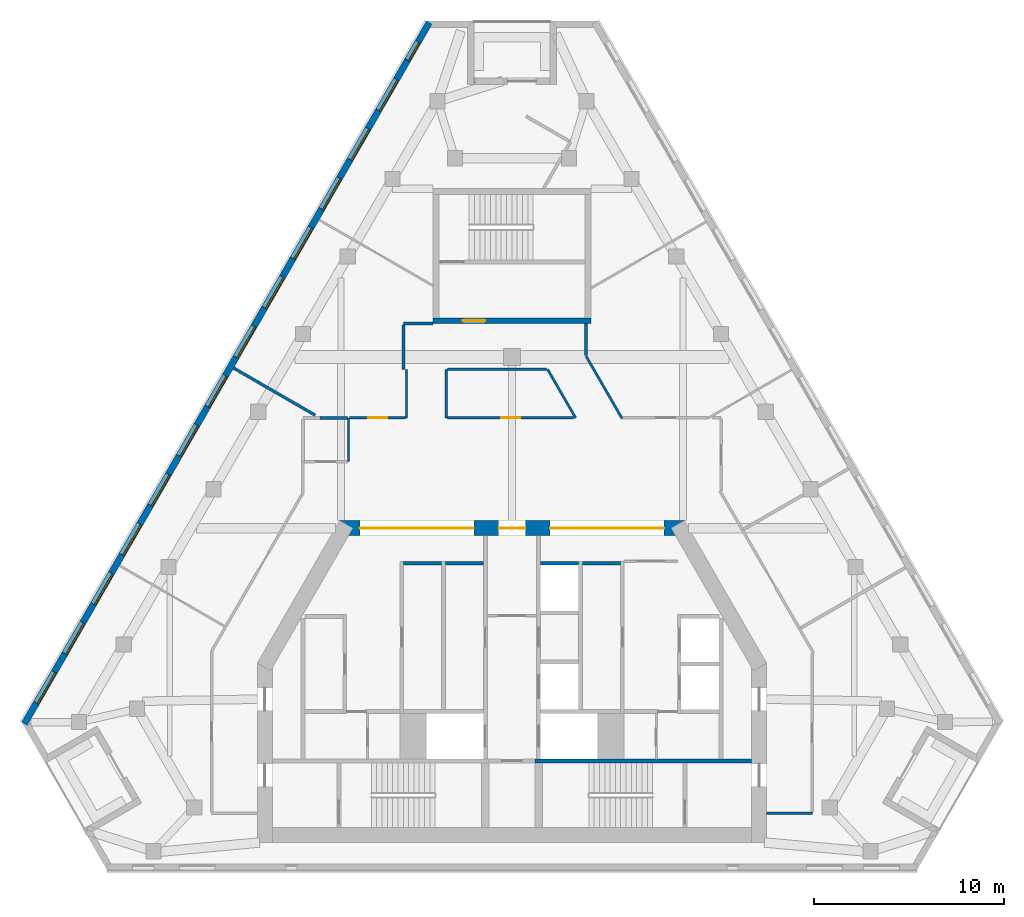
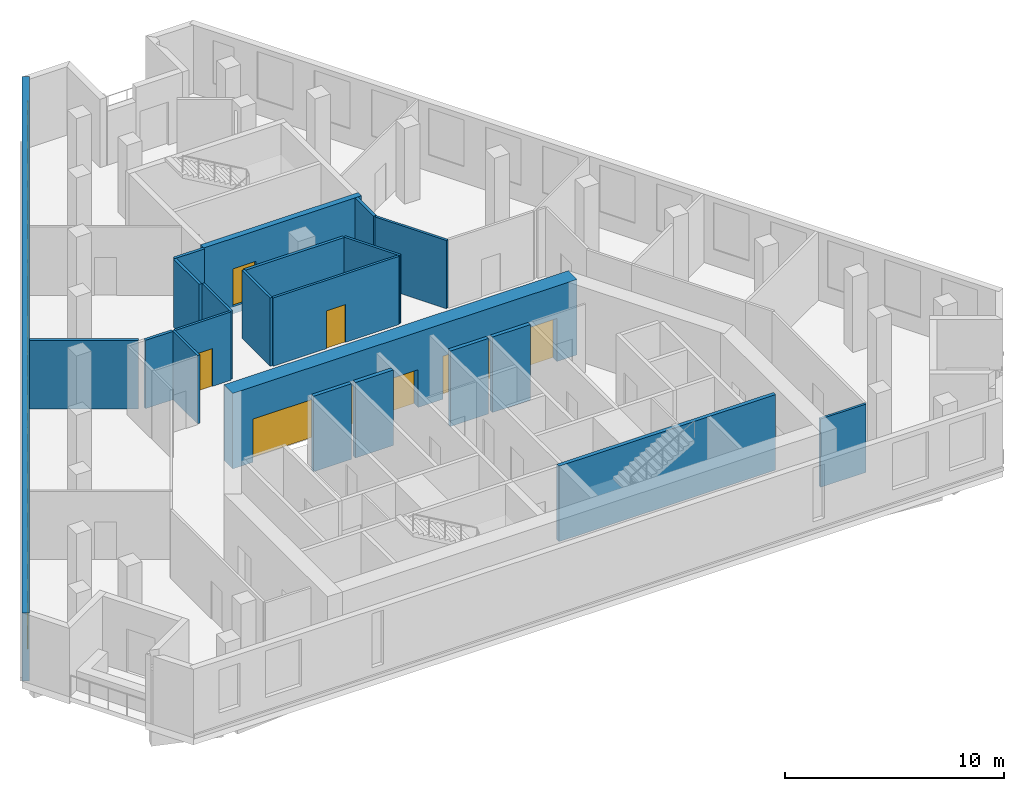
# One storey, part 4 of 8: 22 walls, 14 windows, 6 doors, 20 openings.
"""IFC4 building model written with IfcOpenShell, lengths in metres."""

from ifc_helpers import new_model, si_unit, direction, frame, frame_2d, origin, place, context, subcontext, project, spatial, rectangle, extrude, material, layer, layer_set, type_object, element, fill, save


model = new_model("IFC4")

# Units and contexts
model_context = context("Model", 3, precision=1e-05, world=origin(), true_north=direction((0.0, 1.0)))
body_context = subcontext(model_context, "Body", "Model", "MODEL_VIEW")
ifc_project = project(units=[si_unit("LENGTHUNIT", "METRE"), si_unit("AREAUNIT", "SQUARE_METRE"), si_unit("VOLUMEUNIT", "CUBIC_METRE"), si_unit("PLANEANGLEUNIT", "RADIAN"), si_unit("MASSUNIT", "GRAM", prefix="KILO")], contexts=[model_context])

# Site, building, storey
site_placement = place(None, origin())
site = spatial("IfcSite", under=ifc_project, at=site_placement, CompositionType="ELEMENT")
building_placement = place(site_placement, origin())
building = spatial("IfcBuilding", under=site, at=building_placement, Name="Fogline Exchange Tower", CompositionType="ELEMENT")
storey_placement = place(building_placement, frame((0.0, 0.0, 270.89990234375)))
storey = spatial("IfcBuildingStorey", under=building, at=storey_placement, Name="L61", CompositionType="ELEMENT", Elevation=270.89990234375)

# Walls
ifc_material_1 = material(Name="Concrete C40", Category="concrete")
ifc_layer_1 = layer(ifc_material_1, 0.199951171875)
ifc_layer_set_1 = layer_set([ifc_layer_1], Name="CW20R")
wall_type_1 = type_object("IfcWallType", Name="CW20R", PredefinedType="SOLIDWALL", material=ifc_layer_set_1)
wall_1_placement = place(storey_placement, frame((1.199951171875, 5.75, -0.39990234375), z_axis=(0.0, 0.0, 1.0), x_axis=(1.0, 0.0, 0.0)))
element("IfcWall", 1, at=wall_1_placement, inside=storey, type_object=wall_type_1, Name="Stair enclosure wall", PredefinedType="SOLIDWALL", context=body_context, shape_type="SweptSolid", body=[
    extrude(rectangle(XDim=11.400146484375, YDim=0.199951171875, at=frame_2d((5.7001953125, 0.0))), origin(), (0.0, 0.0, 1.0), 4.199951171875),
])
ifc_layer_2 = layer(ifc_material_1, 0.199951171875)
ifc_layer_set_2 = layer_set([ifc_layer_2], Name="CW20S")
wall_type_2 = type_object("IfcWallType", Name="CW20S", PredefinedType="SOLIDWALL", material=ifc_layer_set_2)
for number, where, z_axis, x_axis, name in (
    (2, (-5.699951171875, 16.14990234375, -0.39990234375), (0.0, 0.0, 1.0), (1.0, 0.0, 0.0), "Lift shaft wall"),
    (3, (-3.5, 16.14990234375, -0.39990234375), (0.0, 0.0, 1.0), (1.0, 0.0, 0.0), "Lift shaft wall"),
    (4, (3.699951171875, 16.14990234375, -0.39990234375), (0.0, 0.0, 1.0), (1.0, 0.0, 0.0), "Lift shaft wall"),
    (5, (1.5, 16.14990234375, -0.39990234375), (0.0, 0.0, 1.0), (1.0, 0.0, 0.0), "Lift shaft wall"),
):
    element("IfcWall", number, at=place(storey_placement, frame(where, z_axis=z_axis, x_axis=x_axis)), inside=storey, type_object=wall_type_2, Name=name, PredefinedType="SOLIDWALL", context=body_context, shape_type="SweptSolid", body=[
        extrude(rectangle(XDim=2.0, YDim=0.199951171875, at=frame_2d((1.0, 0.0))), origin(), (0.0, 0.0, 1.0), 4.199951171875),
    ])

# Wall, opening, door
ifc_layer_3 = layer(ifc_material_1, 0.300048828125)
ifc_layer_set_3 = layer_set([ifc_layer_3], Name="CW30")
wall_type_3 = type_object("IfcWallType", Name="CW30", PredefinedType="SOLIDWALL", material=ifc_layer_set_3)
wall_2_placement = place(storey_placement, frame((-4.14990234375, 28.906982421875, -0.39990234375), z_axis=(0.0, 0.0, 1.0), x_axis=(1.0, 0.0, 0.0)))
wall_2 = element("IfcWall", 6, at=wall_2_placement, inside=storey, type_object=wall_type_3, Name="Stair enclosure wall ST3", PredefinedType="SOLIDWALL", context=body_context, shape_type="SweptSolid", body=[
    extrude(rectangle(XDim=8.2998046875, YDim=0.300048828125, at=frame_2d((4.14990234375, 0.0))), origin(), (0.0, 0.0, 1.0), 4.199951171875),
])
opening_1_placement = place(wall_2_placement, frame((1.550048828125, 0.0, 0.39990234375)))
opening_1 = element("IfcOpeningElement", 7, at=opening_1_placement, cuts=wall_2, Name="Opening T19-C022", PredefinedType="OPENING", context=body_context, shape_type="SweptSolid", body=[
    extrude(rectangle(XDim=1.199951171875, YDim=2.10009765625, at=frame_2d((0.60009765625, 1.050048828125))), frame((0.0, 0.16015625, 0.0), z_axis=(0.0, -1.0, 0.0), x_axis=(1.0, 0.0, 0.0)), (0.0, 0.0, 1.0), 0.320068359375),
])
ifc_material_2 = material(Name="Steel and timber fire door", Category="steel")
door_type_1 = type_object("IfcDoorType", Name="D-FR1", OperationType="SINGLE_SWING_RIGHT", PredefinedType="DOOR", material=ifc_material_2)
door_1_placement = place(opening_1_placement, origin())
door_1 = element("IfcDoor", 8, at=door_1_placement, inside=storey, type_object=door_type_1, Name="Front room door ST3", OperationType="SINGLE_SWING_LEFT", OverallHeight=2.10009765625, OverallWidth=1.199951171875, PredefinedType="DOOR", context=body_context, shape_type="SweptSolid", body=[
    extrude(rectangle(XDim=1.199951171875, YDim=2.10009765625, at=frame_2d((0.60009765625, 1.050048828125))), frame((0.0, 0.02490234375, 0.0), z_axis=(0.0, -1.0, 0.0), x_axis=(1.0, 0.0, 0.0)), (0.0, 0.0, 1.0), 0.050048828125),
])
fill(opening_1, door_1)

# Wall, openings, windows
ifc_material_3 = material(Name="Brick masonry", Category="masonry")
ifc_layer_4 = layer(ifc_material_3, 0.340087890625)
ifc_layer_set_4 = layer_set([ifc_layer_4], Name="FW1")
wall_type_4 = type_object("IfcWallType", Name="FW1", PredefinedType="SOLIDWALL", material=ifc_layer_set_4)
wall_3_placement = place(storey_placement, frame((-4.352783203125, 44.5966796875, 0.0), z_axis=(0.0, 0.0, 1.0), x_axis=(-0.499998153541, -0.866026469835, 0.0)))
wall_3 = element("IfcWall", 9, at=wall_3_placement, inside=storey, type_object=wall_type_4, Name="Brick wall L61 W", PredefinedType="SOLIDWALL", context=body_context, shape_type="SweptSolid", body=[
    extrude(rectangle(XDim=42.593994140625, YDim=0.340087890625, at=frame_2d((21.296875, 0.0))), origin(), (0.0, 0.0, 1.0), 3.800048828125),
])
opening_2_placement = place(wall_3_placement, frame((3.445556640625, 0.0, 0.89990234375)))
opening_2 = element("IfcOpeningElement", 10, at=opening_2_placement, cuts=wall_3, Name="Opening W3", PredefinedType="OPENING", context=body_context, shape_type="SweptSolid", body=[
    extrude(rectangle(XDim=1.885009765625, YDim=2.60009765625, at=frame_2d((0.9423828125, 1.300048828125))), frame((0.0, 0.18017578125, 0.0), z_axis=(0.0, -1.0, 0.0), x_axis=(1.0, 0.0, 0.0)), (0.0, 0.0, 1.0), 0.360107421875),
])
opening_3_placement = place(wall_3_placement, frame((6.445556640625, 0.0, 0.89990234375)))
opening_3 = element("IfcOpeningElement", 11, at=opening_3_placement, cuts=wall_3, Name="Opening W3", PredefinedType="OPENING", context=body_context, shape_type="SweptSolid", body=[
    extrude(rectangle(XDim=1.885009765625, YDim=2.60009765625, at=frame_2d((0.9423828125, 1.300048828125))), frame((0.0, 0.18017578125, 0.0), z_axis=(0.0, -1.0, 0.0), x_axis=(1.0, 0.0, 0.0)), (0.0, 0.0, 1.0), 0.360107421875),
])
opening_4_placement = place(wall_3_placement, frame((9.445556640625, 0.0, 0.89990234375)))
opening_4 = element("IfcOpeningElement", 12, at=opening_4_placement, cuts=wall_3, Name="Opening W3", PredefinedType="OPENING", context=body_context, shape_type="SweptSolid", body=[
    extrude(rectangle(XDim=1.885009765625, YDim=2.60009765625, at=frame_2d((0.9423828125, 1.300048828125))), frame((0.0, 0.18017578125, 0.0), z_axis=(0.0, -1.0, 0.0), x_axis=(1.0, 0.0, 0.0)), (0.0, 0.0, 1.0), 0.360107421875),
])
opening_5_placement = place(wall_3_placement, frame((12.445556640625, 0.0, 0.89990234375)))
opening_5 = element("IfcOpeningElement", 13, at=opening_5_placement, cuts=wall_3, Name="Opening W3", PredefinedType="OPENING", context=body_context, shape_type="SweptSolid", body=[
    extrude(rectangle(XDim=1.885009765625, YDim=2.60009765625, at=frame_2d((0.9423828125, 1.300048828125))), frame((0.0, 0.18017578125, 0.0), z_axis=(0.0, -1.0, 0.0), x_axis=(1.0, 0.0, 0.0)), (0.0, 0.0, 1.0), 0.360107421875),
])
opening_6_placement = place(wall_3_placement, frame((15.445556640625, 0.0, 0.89990234375)))
opening_6 = element("IfcOpeningElement", 14, at=opening_6_placement, cuts=wall_3, Name="Opening W3", PredefinedType="OPENING", context=body_context, shape_type="SweptSolid", body=[
    extrude(rectangle(XDim=1.885009765625, YDim=2.60009765625, at=frame_2d((0.9423828125, 1.300048828125))), frame((0.0, 0.18017578125, 0.0), z_axis=(0.0, -1.0, 0.0), x_axis=(1.0, 0.0, 0.0)), (0.0, 0.0, 1.0), 0.360107421875),
])
opening_7_placement = place(wall_3_placement, frame((18.445556640625, 0.0, 0.89990234375)))
opening_7 = element("IfcOpeningElement", 15, at=opening_7_placement, cuts=wall_3, Name="Opening W3", PredefinedType="OPENING", context=body_context, shape_type="SweptSolid", body=[
    extrude(rectangle(XDim=1.885009765625, YDim=2.60009765625, at=frame_2d((0.9423828125, 1.300048828125))), frame((0.0, 0.18017578125, 0.0), z_axis=(0.0, -1.0, 0.0), x_axis=(1.0, 0.0, 0.0)), (0.0, 0.0, 1.0), 0.360107421875),
])
opening_8_placement = place(wall_3_placement, frame((21.445556640625, 0.0, 0.89990234375)))
opening_8 = element("IfcOpeningElement", 16, at=opening_8_placement, cuts=wall_3, Name="Opening W3", PredefinedType="OPENING", context=body_context, shape_type="SweptSolid", body=[
    extrude(rectangle(XDim=1.885009765625, YDim=2.60009765625, at=frame_2d((0.9423828125, 1.300048828125))), frame((0.0, 0.18017578125, 0.0), z_axis=(0.0, -1.0, 0.0), x_axis=(1.0, 0.0, 0.0)), (0.0, 0.0, 1.0), 0.360107421875),
])
opening_9_placement = place(wall_3_placement, frame((24.445556640625, 0.0, 0.89990234375)))
opening_9 = element("IfcOpeningElement", 17, at=opening_9_placement, cuts=wall_3, Name="Opening W3", PredefinedType="OPENING", context=body_context, shape_type="SweptSolid", body=[
    extrude(rectangle(XDim=1.885009765625, YDim=2.60009765625, at=frame_2d((0.9423828125, 1.300048828125))), frame((0.0, 0.18017578125, 0.0), z_axis=(0.0, -1.0, 0.0), x_axis=(1.0, 0.0, 0.0)), (0.0, 0.0, 1.0), 0.360107421875),
])
opening_10_placement = place(wall_3_placement, frame((27.445556640625, 0.0, 0.89990234375)))
opening_10 = element("IfcOpeningElement", 18, at=opening_10_placement, cuts=wall_3, Name="Opening W3", PredefinedType="OPENING", context=body_context, shape_type="SweptSolid", body=[
    extrude(rectangle(XDim=1.885009765625, YDim=2.60009765625, at=frame_2d((0.9423828125, 1.300048828125))), frame((0.0, 0.18017578125, 0.0), z_axis=(0.0, -1.0, 0.0), x_axis=(1.0, 0.0, 0.0)), (0.0, 0.0, 1.0), 0.360107421875),
])
opening_11_placement = place(wall_3_placement, frame((30.445556640625, 0.0, 0.89990234375)))
opening_11 = element("IfcOpeningElement", 19, at=opening_11_placement, cuts=wall_3, Name="Opening W3", PredefinedType="OPENING", context=body_context, shape_type="SweptSolid", body=[
    extrude(rectangle(XDim=1.885009765625, YDim=2.60009765625, at=frame_2d((0.9423828125, 1.300048828125))), frame((0.0, 0.18017578125, 0.0), z_axis=(0.0, -1.0, 0.0), x_axis=(1.0, 0.0, 0.0)), (0.0, 0.0, 1.0), 0.360107421875),
])
opening_12_placement = place(wall_3_placement, frame((33.445556640625, 0.0, 0.89990234375)))
opening_12 = element("IfcOpeningElement", 20, at=opening_12_placement, cuts=wall_3, Name="Opening W3", PredefinedType="OPENING", context=body_context, shape_type="SweptSolid", body=[
    extrude(rectangle(XDim=1.885009765625, YDim=2.60009765625, at=frame_2d((0.9423828125, 1.300048828125))), frame((0.0, 0.18017578125, 0.0), z_axis=(0.0, -1.0, 0.0), x_axis=(1.0, 0.0, 0.0)), (0.0, 0.0, 1.0), 0.360107421875),
])
opening_13_placement = place(wall_3_placement, frame((36.445556640625, 0.0, 0.89990234375)))
opening_13 = element("IfcOpeningElement", 21, at=opening_13_placement, cuts=wall_3, Name="Opening W3", PredefinedType="OPENING", context=body_context, shape_type="SweptSolid", body=[
    extrude(rectangle(XDim=1.885009765625, YDim=2.60009765625, at=frame_2d((0.9423828125, 1.300048828125))), frame((0.0, 0.18017578125, 0.0), z_axis=(0.0, -1.0, 0.0), x_axis=(1.0, 0.0, 0.0)), (0.0, 0.0, 1.0), 0.360107421875),
])
opening_14_placement = place(wall_3_placement, frame((39.445556640625, 0.0, 0.89990234375)))
opening_14 = element("IfcOpeningElement", 22, at=opening_14_placement, cuts=wall_3, Name="Opening W3", PredefinedType="OPENING", context=body_context, shape_type="SweptSolid", body=[
    extrude(rectangle(XDim=1.885009765625, YDim=2.60009765625, at=frame_2d((0.9423828125, 1.300048828125))), frame((0.0, 0.18017578125, 0.0), z_axis=(0.0, -1.0, 0.0), x_axis=(1.0, 0.0, 0.0)), (0.0, 0.0, 1.0), 0.360107421875),
])
opening_15_placement = place(wall_3_placement, frame((1.165283203125, 0.0, 0.89990234375)))
opening_15 = element("IfcOpeningElement", 23, at=opening_15_placement, cuts=wall_3, Name="Opening W4", PredefinedType="OPENING", context=body_context, shape_type="SweptSolid", body=[
    extrude(rectangle(XDim=1.114990234375, YDim=2.39990234375, at=frame_2d((0.5576171875, 1.199951171875))), frame((0.0, 0.18017578125, 0.0), z_axis=(0.0, -1.0, 0.0), x_axis=(1.0, 0.0, 0.0)), (0.0, 0.0, 1.0), 0.360107421875),
])
ifc_material_4 = material(Name="Aluminium and glass", Category="aluminium")
window_type_1 = type_object("IfcWindowType", Name="W3", PartitioningType="SINGLE_PANEL", PredefinedType="WINDOW", material=ifc_material_4)
window_1_placement = place(opening_2_placement, origin())
window_1 = element("IfcWindow", 24, at=window_1_placement, inside=storey, type_object=window_type_1, Name="W3 W3", OverallHeight=2.60009765625, OverallWidth=1.885009765625, PartitioningType="SINGLE_PANEL", PredefinedType="WINDOW", context=body_context, shape_type="SweptSolid", body=[
    extrude(rectangle(XDim=1.885009765625, YDim=2.60009765625, at=frame_2d((0.9423828125, 1.300048828125))), frame((0.0, 0.110107421875, 0.0), z_axis=(0.0, -1.0, 0.0), x_axis=(1.0, 0.0, 0.0)), (0.0, 0.0, 1.0), 0.06005859375),
])
fill(opening_2, window_1)
window_2_placement = place(opening_3_placement, origin())
window_2 = element("IfcWindow", 25, at=window_2_placement, inside=storey, type_object=window_type_1, Name="W3 W3", OverallHeight=2.60009765625, OverallWidth=1.885009765625, PartitioningType="SINGLE_PANEL", PredefinedType="WINDOW", context=body_context, shape_type="SweptSolid", body=[
    extrude(rectangle(XDim=1.885009765625, YDim=2.60009765625, at=frame_2d((0.9423828125, 1.300048828125))), frame((0.0, 0.110107421875, 0.0), z_axis=(0.0, -1.0, 0.0), x_axis=(1.0, 0.0, 0.0)), (0.0, 0.0, 1.0), 0.06005859375),
])
fill(opening_3, window_2)
window_3_placement = place(opening_4_placement, origin())
window_3 = element("IfcWindow", 26, at=window_3_placement, inside=storey, type_object=window_type_1, Name="W3 W3", OverallHeight=2.60009765625, OverallWidth=1.885009765625, PartitioningType="SINGLE_PANEL", PredefinedType="WINDOW", context=body_context, shape_type="SweptSolid", body=[
    extrude(rectangle(XDim=1.885009765625, YDim=2.60009765625, at=frame_2d((0.9423828125, 1.300048828125))), frame((0.0, 0.110107421875, 0.0), z_axis=(0.0, -1.0, 0.0), x_axis=(1.0, 0.0, 0.0)), (0.0, 0.0, 1.0), 0.06005859375),
])
fill(opening_4, window_3)
window_4_placement = place(opening_5_placement, origin())
window_4 = element("IfcWindow", 27, at=window_4_placement, inside=storey, type_object=window_type_1, Name="W3 W3", OverallHeight=2.60009765625, OverallWidth=1.885009765625, PartitioningType="SINGLE_PANEL", PredefinedType="WINDOW", context=body_context, shape_type="SweptSolid", body=[
    extrude(rectangle(XDim=1.885009765625, YDim=2.60009765625, at=frame_2d((0.9423828125, 1.300048828125))), frame((0.0, 0.110107421875, 0.0), z_axis=(0.0, -1.0, 0.0), x_axis=(1.0, 0.0, 0.0)), (0.0, 0.0, 1.0), 0.06005859375),
])
fill(opening_5, window_4)
window_5_placement = place(opening_6_placement, origin())
window_5 = element("IfcWindow", 28, at=window_5_placement, inside=storey, type_object=window_type_1, Name="W3 W3", OverallHeight=2.60009765625, OverallWidth=1.885009765625, PartitioningType="SINGLE_PANEL", PredefinedType="WINDOW", context=body_context, shape_type="SweptSolid", body=[
    extrude(rectangle(XDim=1.885009765625, YDim=2.60009765625, at=frame_2d((0.9423828125, 1.300048828125))), frame((0.0, 0.110107421875, 0.0), z_axis=(0.0, -1.0, 0.0), x_axis=(1.0, 0.0, 0.0)), (0.0, 0.0, 1.0), 0.06005859375),
])
fill(opening_6, window_5)
window_6_placement = place(opening_7_placement, origin())
window_6 = element("IfcWindow", 29, at=window_6_placement, inside=storey, type_object=window_type_1, Name="W3 W3", OverallHeight=2.60009765625, OverallWidth=1.885009765625, PartitioningType="SINGLE_PANEL", PredefinedType="WINDOW", context=body_context, shape_type="SweptSolid", body=[
    extrude(rectangle(XDim=1.885009765625, YDim=2.60009765625, at=frame_2d((0.9423828125, 1.300048828125))), frame((0.0, 0.110107421875, 0.0), z_axis=(0.0, -1.0, 0.0), x_axis=(1.0, 0.0, 0.0)), (0.0, 0.0, 1.0), 0.06005859375),
])
fill(opening_7, window_6)
window_7_placement = place(opening_8_placement, origin())
window_7 = element("IfcWindow", 30, at=window_7_placement, inside=storey, type_object=window_type_1, Name="W3 W3", OverallHeight=2.60009765625, OverallWidth=1.885009765625, PartitioningType="SINGLE_PANEL", PredefinedType="WINDOW", context=body_context, shape_type="SweptSolid", body=[
    extrude(rectangle(XDim=1.885009765625, YDim=2.60009765625, at=frame_2d((0.9423828125, 1.300048828125))), frame((0.0, 0.110107421875, 0.0), z_axis=(0.0, -1.0, 0.0), x_axis=(1.0, 0.0, 0.0)), (0.0, 0.0, 1.0), 0.06005859375),
])
fill(opening_8, window_7)
window_8_placement = place(opening_9_placement, origin())
window_8 = element("IfcWindow", 31, at=window_8_placement, inside=storey, type_object=window_type_1, Name="W3 W3", OverallHeight=2.60009765625, OverallWidth=1.885009765625, PartitioningType="SINGLE_PANEL", PredefinedType="WINDOW", context=body_context, shape_type="SweptSolid", body=[
    extrude(rectangle(XDim=1.885009765625, YDim=2.60009765625, at=frame_2d((0.9423828125, 1.300048828125))), frame((0.0, 0.110107421875, 0.0), z_axis=(0.0, -1.0, 0.0), x_axis=(1.0, 0.0, 0.0)), (0.0, 0.0, 1.0), 0.06005859375),
])
fill(opening_9, window_8)
window_9_placement = place(opening_10_placement, origin())
window_9 = element("IfcWindow", 32, at=window_9_placement, inside=storey, type_object=window_type_1, Name="W3 W3", OverallHeight=2.60009765625, OverallWidth=1.885009765625, PartitioningType="SINGLE_PANEL", PredefinedType="WINDOW", context=body_context, shape_type="SweptSolid", body=[
    extrude(rectangle(XDim=1.885009765625, YDim=2.60009765625, at=frame_2d((0.9423828125, 1.300048828125))), frame((0.0, 0.110107421875, 0.0), z_axis=(0.0, -1.0, 0.0), x_axis=(1.0, 0.0, 0.0)), (0.0, 0.0, 1.0), 0.06005859375),
])
fill(opening_10, window_9)
window_10_placement = place(opening_11_placement, origin())
window_10 = element("IfcWindow", 33, at=window_10_placement, inside=storey, type_object=window_type_1, Name="W3 W3", OverallHeight=2.60009765625, OverallWidth=1.885009765625, PartitioningType="SINGLE_PANEL", PredefinedType="WINDOW", context=body_context, shape_type="SweptSolid", body=[
    extrude(rectangle(XDim=1.885009765625, YDim=2.60009765625, at=frame_2d((0.9423828125, 1.300048828125))), frame((0.0, 0.110107421875, 0.0), z_axis=(0.0, -1.0, 0.0), x_axis=(1.0, 0.0, 0.0)), (0.0, 0.0, 1.0), 0.06005859375),
])
fill(opening_11, window_10)
window_11_placement = place(opening_12_placement, origin())
window_11 = element("IfcWindow", 34, at=window_11_placement, inside=storey, type_object=window_type_1, Name="W3 W3", OverallHeight=2.60009765625, OverallWidth=1.885009765625, PartitioningType="SINGLE_PANEL", PredefinedType="WINDOW", context=body_context, shape_type="SweptSolid", body=[
    extrude(rectangle(XDim=1.885009765625, YDim=2.60009765625, at=frame_2d((0.9423828125, 1.300048828125))), frame((0.0, 0.110107421875, 0.0), z_axis=(0.0, -1.0, 0.0), x_axis=(1.0, 0.0, 0.0)), (0.0, 0.0, 1.0), 0.06005859375),
])
fill(opening_12, window_11)
window_12_placement = place(opening_13_placement, origin())
window_12 = element("IfcWindow", 35, at=window_12_placement, inside=storey, type_object=window_type_1, Name="W3 W3", OverallHeight=2.60009765625, OverallWidth=1.885009765625, PartitioningType="SINGLE_PANEL", PredefinedType="WINDOW", context=body_context, shape_type="SweptSolid", body=[
    extrude(rectangle(XDim=1.885009765625, YDim=2.60009765625, at=frame_2d((0.9423828125, 1.300048828125))), frame((0.0, 0.110107421875, 0.0), z_axis=(0.0, -1.0, 0.0), x_axis=(1.0, 0.0, 0.0)), (0.0, 0.0, 1.0), 0.06005859375),
])
fill(opening_13, window_12)
window_13_placement = place(opening_14_placement, origin())
window_13 = element("IfcWindow", 36, at=window_13_placement, inside=storey, type_object=window_type_1, Name="W3 W3", OverallHeight=2.60009765625, OverallWidth=1.885009765625, PartitioningType="SINGLE_PANEL", PredefinedType="WINDOW", context=body_context, shape_type="SweptSolid", body=[
    extrude(rectangle(XDim=1.885009765625, YDim=2.60009765625, at=frame_2d((0.9423828125, 1.300048828125))), frame((0.0, 0.110107421875, 0.0), z_axis=(0.0, -1.0, 0.0), x_axis=(1.0, 0.0, 0.0)), (0.0, 0.0, 1.0), 0.06005859375),
])
fill(opening_14, window_13)
window_type_2 = type_object("IfcWindowType", Name="W4", PartitioningType="SINGLE_PANEL", PredefinedType="WINDOW", material=ifc_material_4)
window_14_placement = place(opening_15_placement, origin())
window_14 = element("IfcWindow", 37, at=window_14_placement, inside=storey, type_object=window_type_2, Name="W4 W4", OverallHeight=2.39990234375, OverallWidth=1.114990234375, PartitioningType="SINGLE_PANEL", PredefinedType="WINDOW", context=body_context, shape_type="SweptSolid", body=[
    extrude(rectangle(XDim=1.114990234375, YDim=2.39990234375, at=frame_2d((0.5576171875, 1.199951171875))), frame((0.0, 0.110107421875, 0.0), z_axis=(0.0, -1.0, 0.0), x_axis=(1.0, 0.0, 0.0)), (0.0, 0.0, 1.0), 0.06005859375),
])
fill(opening_15, window_14)

# Wall
ifc_material_5 = material(Name="Plasterboard corridor partition with mineral wool, 2 layers each side")
ifc_layer_5 = layer(ifc_material_5, 0.125)
ifc_layer_set_5 = layer_set([ifc_layer_5], Name="PW2")
wall_type_5 = type_object("IfcWallType", Name="PW2", PredefinedType="PARTITIONING", material=ifc_layer_set_5)
wall_4_placement = place(storey_placement, frame((15.800048828125, 3.0, 0.0), z_axis=(0.0, 0.0, 1.0), x_axis=(-1.0, 0.0, 0.0)))
element("IfcWall", 38, at=wall_4_placement, inside=storey, type_object=wall_type_5, Name="wall-L61-W004", PredefinedType="PARTITIONING", context=body_context, shape_type="SweptSolid", body=[
    extrude(rectangle(XDim=2.400146484375, YDim=0.125, at=frame_2d((1.2001953125, 0.0))), origin(), (0.0, 0.0, 1.0), 3.800048828125),
])

# Wall, opening, door
wall_5_placement = place(storey_placement, frame((-3.387451171875, 23.800048828125, 0.0), z_axis=(0.0, 0.0, 1.0), x_axis=(1.0, 0.0, 0.0)))
wall_5 = element("IfcWall", 39, at=wall_5_placement, inside=storey, type_object=wall_type_5, Name="wall-L61-W009", PredefinedType="PARTITIONING", context=body_context, shape_type="SweptSolid", body=[
    extrude(rectangle(XDim=6.625, YDim=0.125, at=frame_2d((3.3125, 0.0))), origin(), (0.0, 0.0, 1.0), 3.800048828125),
])
opening_16_placement = place(wall_5_placement, frame((2.8125, 0.0, 0.0)))
opening_16 = element("IfcOpeningElement", 40, at=opening_16_placement, cuts=wall_5, Name="Opening T19-D005", PredefinedType="OPENING", context=body_context, shape_type="SweptSolid", body=[
    extrude(rectangle(XDim=1.0, YDim=2.10009765625, at=frame_2d((0.5, 1.050048828125))), frame((0.0, 0.072509765625, 0.0), z_axis=(0.0, -1.0, 0.0), x_axis=(1.0, 0.0, 0.0)), (0.0, 0.0, 1.0), 0.14501953125),
])
ifc_material_6 = material(Name="Fire-rated timber door leaf with steel frame", Category="steel")
door_type_2 = type_object("IfcDoorType", Name="D3", OperationType="SINGLE_SWING_LEFT", PredefinedType="DOOR", material=ifc_material_6)
door_2_placement = place(opening_16_placement, origin())
door_2 = element("IfcDoor", 41, at=door_2_placement, inside=storey, type_object=door_type_2, Name="door-L61-D005", OperationType="SINGLE_SWING_LEFT", OverallHeight=2.10009765625, OverallWidth=1.0, PredefinedType="DOOR", context=body_context, shape_type="SweptSolid", body=[
    extrude(rectangle(XDim=1.0, YDim=2.10009765625, at=frame_2d((0.5, 1.050048828125))), frame((0.0, 0.02490234375, 0.0), z_axis=(0.0, -1.0, 0.0), x_axis=(1.0, 0.0, 0.0)), (0.0, 0.0, 1.0), 0.050048828125),
])
fill(opening_16, door_2)

wall_6_placement = place(storey_placement, frame((-8.537109375, 23.800048828125, 0.0), z_axis=(0.0, 0.0, 1.0), x_axis=(1.0, 0.0, 0.0)))
wall_6 = element("IfcWall", 42, at=wall_6_placement, inside=storey, type_object=wall_type_5, Name="wall-L61-W010", PredefinedType="PARTITIONING", context=body_context, shape_type="SweptSolid", body=[
    extrude(rectangle(XDim=2.924560546875, YDim=0.125, at=frame_2d((1.46240234375, 0.0))), origin(), (0.0, 0.0, 1.0), 3.800048828125),
])
opening_17_placement = place(wall_6_placement, frame((0.96240234375, 0.0, 0.0)))
opening_17 = element("IfcOpeningElement", 43, at=opening_17_placement, cuts=wall_6, Name="Opening T19-D006", PredefinedType="OPENING", context=body_context, shape_type="SweptSolid", body=[
    extrude(rectangle(XDim=1.0, YDim=2.10009765625, at=frame_2d((0.5, 1.050048828125))), frame((0.0, 0.072509765625, 0.0), z_axis=(0.0, -1.0, 0.0), x_axis=(1.0, 0.0, 0.0)), (0.0, 0.0, 1.0), 0.14501953125),
])
door_3_placement = place(opening_17_placement, origin())
door_3 = element("IfcDoor", 44, at=door_3_placement, inside=storey, type_object=door_type_2, Name="door-L61-D006", OperationType="SINGLE_SWING_RIGHT", OverallHeight=2.10009765625, OverallWidth=1.0, PredefinedType="DOOR", context=body_context, shape_type="SweptSolid", body=[
    extrude(rectangle(XDim=1.0, YDim=2.10009765625, at=frame_2d((0.5, 1.050048828125))), frame((0.0, 0.02490234375, 0.0), z_axis=(0.0, -1.0, 0.0), x_axis=(1.0, 0.0, 0.0)), (0.0, 0.0, 1.0), 0.050048828125),
])
fill(opening_17, door_3)

# Walls
wall_7_placement = place(storey_placement, frame((-8.60009765625, 21.5, 0.0), z_axis=(0.0, 0.0, 1.0), x_axis=(0.0, 1.0, 0.0)))
element("IfcWall", 45, at=wall_7_placement, inside=storey, type_object=wall_type_5, Name="wall-L61-W012", PredefinedType="PARTITIONING", context=body_context, shape_type="SweptSolid", body=[
    extrude(rectangle(XDim=2.300048828125, YDim=0.125, at=frame_2d((1.14990234375, 0.0))), origin(), (0.0, 0.0, 1.0), 3.800048828125),
])
for number, where, z_axis, x_axis, name in (
    (46, (-3.449951171875, 26.35693359375, 0.0), (0.0, 0.0, 1.0), (0.0, -1.0, 0.0), "wall-L61-W022"),
    (47, (-5.550048828125, 23.800048828125, 0.0), (0.0, 0.0, 1.0), (0.0, 1.0, 0.0), "wall-L61-W023"),
):
    element("IfcWall", number, at=place(storey_placement, frame(where, z_axis=z_axis, x_axis=x_axis)), inside=storey, type_object=wall_type_5, Name=name, PredefinedType="PARTITIONING", context=body_context, shape_type="SweptSolid", body=[
        extrude(rectangle(XDim=2.556884765625, YDim=0.125, at=frame_2d((1.2783203125, 0.0))), origin(), (0.0, 0.0, 1.0), 3.800048828125),
    ])
wall_8_placement = place(storey_placement, frame((3.89990234375, 27.041015625, 0.0), z_axis=(0.0, 0.0, 1.0), x_axis=(0.499989064333, -0.866031717402, 0.0)))
element("IfcWall", 48, at=wall_8_placement, inside=storey, type_object=wall_type_5, Name="wall-L61-W024", PredefinedType="PARTITIONING", context=body_context, shape_type="SweptSolid", body=[
    extrude(rectangle(XDim=3.7783203125, YDim=0.125, at=frame_2d((1.88916015625, 0.0))), origin(), (0.0, 0.0, 1.0), 3.800048828125),
])
wall_9_placement = place(storey_placement, frame((3.34619140625, 23.800048828125, 0.0), z_axis=(0.0, 0.0, 1.0), x_axis=(-0.499963446908, 0.866046506693, 0.0)))
element("IfcWall", 49, at=wall_9_placement, inside=storey, type_object=wall_type_5, Name="wall-L61-W025", PredefinedType="PARTITIONING", context=body_context, shape_type="SweptSolid", body=[
    extrude(rectangle(XDim=2.952392578125, YDim=0.125, at=frame_2d((1.47607421875, 0.0))), origin(), (0.0, 0.0, 1.0), 3.800048828125),
])
ifc_material_7 = material(Name="Plasterboard demising partition with mineral wool and acoustic board")
ifc_layer_6 = layer(ifc_material_7, 0.14990234375)
ifc_layer_set_6 = layer_set([ifc_layer_6], Name="PW3")
wall_type_6 = type_object("IfcWallType", Name="PW3", PredefinedType="PARTITIONING", material=ifc_layer_set_6)
wall_10_placement = place(storey_placement, frame((-8.6630859375, 23.800048828125, 0.0), z_axis=(0.0, 0.0, 1.0), x_axis=(-1.0, 0.0, 0.0)))
element("IfcWall", 50, at=wall_10_placement, inside=storey, type_object=wall_type_6, Name="wall-L61-W034", PredefinedType="PARTITIONING", context=body_context, shape_type="SweptSolid", body=[
    extrude(rectangle(XDim=1.44482421875, YDim=0.14990234375, at=frame_2d((0.722412109375, 0.0))), origin(), (0.0, 0.0, 1.0), 3.800048828125),
])
wall_11_placement = place(storey_placement, frame((-10.3505859375, 23.940185546875, 0.0), z_axis=(0.0, 0.0, 1.0), x_axis=(-0.866025053231, 0.500000607176, 0.0)))
element("IfcWall", 51, at=wall_11_placement, inside=storey, type_object=wall_type_6, Name="wall-L61-W035", PredefinedType="PARTITIONING", context=body_context, shape_type="SweptSolid", body=[
    extrude(rectangle(XDim=4.9638671875, YDim=0.14990234375, at=frame_2d((2.48193359375, 0.0))), origin(), (0.0, 0.0, 1.0), 3.800048828125),
])
ifc_material_8 = material(Name="Plasterboard stair lobby partition, 3 layers each side on steel studs", Category="steel")
ifc_layer_7 = layer(ifc_material_8, 0.14990234375)
ifc_layer_set_7 = layer_set([ifc_layer_7], Name="PW4")
wall_type_7 = type_object("IfcWallType", Name="PW4", PredefinedType="PARTITIONING", material=ifc_layer_set_7)
wall_12_placement = place(storey_placement, frame((3.89990234375, 28.757080078125, 0.0), z_axis=(0.0, 0.0, 1.0), x_axis=(0.0, -1.0, 0.0)))
element("IfcWall", 52, at=wall_12_placement, inside=storey, type_object=wall_type_7, Name="wall-L61-W018", PredefinedType="PARTITIONING", context=body_context, shape_type="SweptSolid", body=[
    extrude(rectangle(XDim=1.68505859375, YDim=0.14990234375, at=frame_2d((0.842529296875, 0.0))), origin(), (0.0, 0.0, 1.0), 3.800048828125),
])
wall_13_placement = place(storey_placement, frame((1.816162109375, 26.35693359375, 0.0), z_axis=(0.0, 0.0, 1.0), x_axis=(-1.0, 0.0, 0.0)))
element("IfcWall", 53, at=wall_13_placement, inside=storey, type_object=wall_type_7, Name="wall-L61-W019", PredefinedType="PARTITIONING", context=body_context, shape_type="SweptSolid", body=[
    extrude(rectangle(XDim=5.20361328125, YDim=0.14990234375, at=frame_2d((2.601806640625, 0.0))), origin(), (0.0, 0.0, 1.0), 3.800048828125),
])
wall_14_placement = place(storey_placement, frame((-5.699951171875, 26.35693359375, 0.0), z_axis=(0.0, 0.0, 1.0), x_axis=(0.0, 1.0, 0.0)))
element("IfcWall", 54, at=wall_14_placement, inside=storey, type_object=wall_type_7, Name="wall-L61-W020", PredefinedType="PARTITIONING", context=body_context, shape_type="SweptSolid", body=[
    extrude(rectangle(XDim=2.324951171875, YDim=0.14990234375, at=frame_2d((1.16259765625, 0.0))), origin(), (0.0, 0.0, 1.0), 3.800048828125),
])
wall_15_placement = place(storey_placement, frame((-5.699951171875, 28.757080078125, 0.0), z_axis=(0.0, 0.0, 1.0), x_axis=(1.0, 0.0, 0.0)))
element("IfcWall", 55, at=wall_15_placement, inside=storey, type_object=wall_type_7, Name="wall-L61-W021", PredefinedType="PARTITIONING", context=body_context, shape_type="SweptSolid", body=[
    extrude(rectangle(XDim=1.550048828125, YDim=0.14990234375, at=frame_2d((0.77490234375, 0.0))), origin(), (0.0, 0.0, 1.0), 3.800048828125),
])

# Wall, openings, doors
ifc_material_9 = material(Name="Concrete C50", Category="concrete")
ifc_layer_8 = layer(ifc_material_9, 0.800048828125)
ifc_layer_set_8 = layer_set([ifc_layer_8], Name="SW04")
wall_type_8 = type_object("IfcWallType", Name="SW04", PredefinedType="SHEAR", material=ifc_layer_set_8)
wall_16_placement = place(storey_placement, frame((9.065185546875, 18.0, 0.0), z_axis=(0.0, 0.0, 1.0), x_axis=(-1.0, 0.0, 0.0)))
wall_16 = element("IfcWall", 56, at=wall_16_placement, inside=storey, type_object=wall_type_8, Name="L61-W904", PredefinedType="SHEAR", context=body_context, shape_type="SweptSolid", body=[
    extrude(rectangle(XDim=18.13037109375, YDim=0.800048828125, at=frame_2d((9.065185546875, 0.0))), origin(), (0.0, 0.0, 1.0), 4.2001953125),
])
opening_18_placement = place(wall_16_placement, frame((8.364990234375, 0.0, 0.0)))
opening_18 = element("IfcOpeningElement", 57, at=opening_18_placement, cuts=wall_16, Name="Opening T19-C019", PredefinedType="OPENING", context=body_context, shape_type="SweptSolid", body=[
    extrude(rectangle(XDim=1.39990234375, YDim=2.10009765625, at=frame_2d((0.699951171875, 1.050048828125))), frame((0.0, 0.41015625, 0.0), z_axis=(0.0, -1.0, 0.0), x_axis=(1.0, 0.0, 0.0)), (0.0, 0.0, 1.0), 0.820068359375),
])
opening_19_placement = place(wall_16_placement, frame((11.065185546875, 0.0, 0.0)))
opening_19 = element("IfcOpeningElement", 58, at=opening_19_placement, cuts=wall_16, Name="Opening T19-C020", PredefinedType="OPENING", context=body_context, shape_type="SweptSolid", body=[
    extrude(rectangle(XDim=6.0, YDim=2.39990234375, at=frame_2d((3.0, 1.199951171875))), frame((0.0, 0.41015625, 0.0), z_axis=(0.0, -1.0, 0.0), x_axis=(1.0, 0.0, 0.0)), (0.0, 0.0, 1.0), 0.820068359375),
])
opening_20_placement = place(wall_16_placement, frame((1.065185546875, 0.0, 0.0)))
opening_20 = element("IfcOpeningElement", 59, at=opening_20_placement, cuts=wall_16, Name="Opening T19-C021", PredefinedType="OPENING", context=body_context, shape_type="SweptSolid", body=[
    extrude(rectangle(XDim=6.0, YDim=2.39990234375, at=frame_2d((3.0, 1.199951171875))), frame((0.0, 0.41015625, 0.0), z_axis=(0.0, -1.0, 0.0), x_axis=(1.0, 0.0, 0.0)), (0.0, 0.0, 1.0), 0.820068359375),
])
door_type_3 = type_object("IfcDoorType", Name="D-LB1", OperationType="DOUBLE_DOOR_SINGLE_SWING", PredefinedType="DOOR", material=ifc_material_2)
door_4_placement = place(opening_18_placement, origin())
door_4 = element("IfcDoor", 60, at=door_4_placement, inside=storey, type_object=door_type_3, Name="Protected lobby door", OperationType="DOUBLE_DOOR_SINGLE_SWING", OverallHeight=2.10009765625, OverallWidth=1.39990234375, PredefinedType="DOOR", context=body_context, shape_type="SweptSolid", body=[
    extrude(rectangle(XDim=1.39990234375, YDim=2.10009765625, at=frame_2d((0.699951171875, 1.050048828125))), frame((0.0, 0.02490234375, 0.0), z_axis=(0.0, -1.0, 0.0), x_axis=(1.0, 0.0, 0.0)), (0.0, 0.0, 1.0), 0.050048828125),
])
fill(opening_18, door_4)
door_type_4 = type_object("IfcDoorType", Name="D-LE1", OperationType="DOUBLE_DOOR_SLIDING", PredefinedType="DOOR", material=ifc_material_2)
door_5_placement = place(opening_19_placement, origin())
door_5 = element("IfcDoor", 61, at=door_5_placement, inside=storey, type_object=door_type_4, Name="Lift lobby entrance west", OperationType="DOUBLE_DOOR_SLIDING", OverallHeight=2.39990234375, OverallWidth=6.0, PredefinedType="DOOR", context=body_context, shape_type="SweptSolid", body=[
    extrude(rectangle(XDim=6.0, YDim=2.39990234375, at=frame_2d((3.0, 1.199951171875))), frame((0.0, 0.02490234375, 0.0), z_axis=(0.0, -1.0, 0.0), x_axis=(1.0, 0.0, 0.0)), (0.0, 0.0, 1.0), 0.050048828125),
])
fill(opening_19, door_5)
door_6_placement = place(opening_20_placement, origin())
door_6 = element("IfcDoor", 62, at=door_6_placement, inside=storey, type_object=door_type_4, Name="Lift lobby entrance east", OperationType="DOUBLE_DOOR_SLIDING", OverallHeight=2.39990234375, OverallWidth=6.0, PredefinedType="DOOR", context=body_context, shape_type="SweptSolid", body=[
    extrude(rectangle(XDim=6.0, YDim=2.39990234375, at=frame_2d((3.0, 1.199951171875))), frame((0.0, 0.02490234375, 0.0), z_axis=(0.0, -1.0, 0.0), x_axis=(1.0, 0.0, 0.0)), (0.0, 0.0, 1.0), 0.050048828125),
])
fill(opening_20, door_6)

save(model, "model.ifc")
